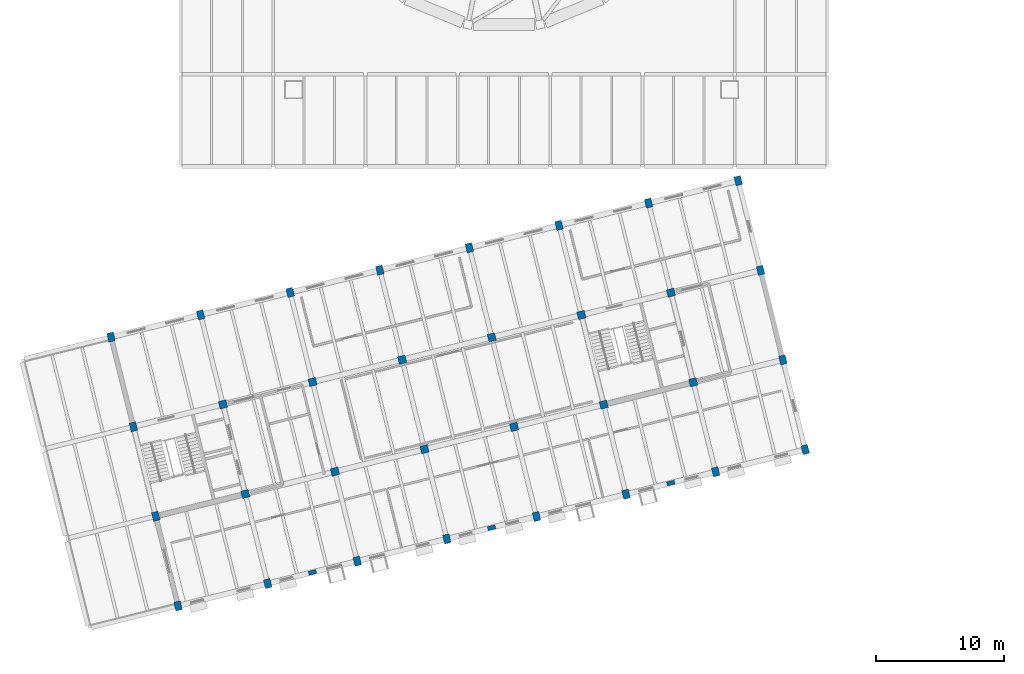
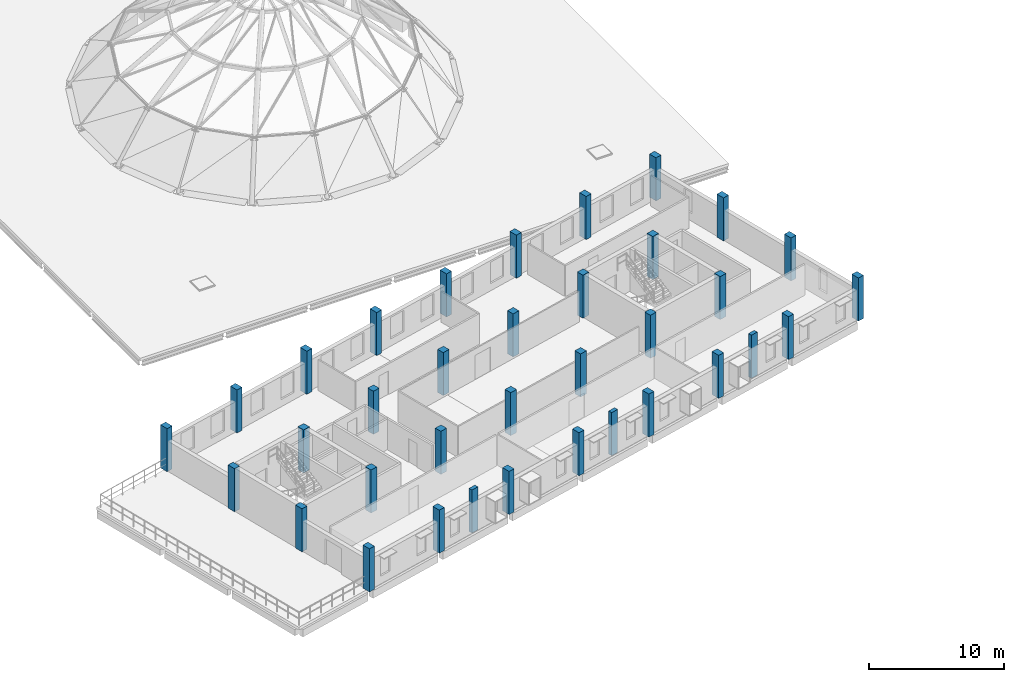
# One storey, part 1 of 32: 35 columns.
"""IFC4 building model written with IfcOpenShell, lengths in metres."""

from ifc_helpers import new_model, si_unit, direction, frame, origin, origin_2d, place, context, subcontext, project, spatial, rectangle, extrude, material, material_profile, profile_set, type_object, element, save


model = new_model("IFC4")

# Units and contexts
model_context = context("Model", 3, precision=1e-05, world=origin(), true_north=direction((0.0, 1.0)))
body_context = subcontext(model_context, "Body", "Model", "MODEL_VIEW")
ifc_project = project(units=[si_unit("LENGTHUNIT", "METRE"), si_unit("AREAUNIT", "SQUARE_METRE"), si_unit("VOLUMEUNIT", "CUBIC_METRE"), si_unit("PLANEANGLEUNIT", "RADIAN"), si_unit("MASSUNIT", "GRAM", prefix="KILO")], contexts=[model_context])

# Site, building, storey
site_placement = place(None, origin())
site = spatial("IfcSite", under=ifc_project, at=site_placement, CompositionType="ELEMENT")
building_placement = place(site_placement, origin())
building = spatial("IfcBuilding", under=site, at=building_placement, Name="Qiaolan Assembly House", CompositionType="ELEMENT")
storey_placement = place(building_placement, frame((0.0, 0.0, 18.60009765625)))
storey = spatial("IfcBuildingStorey", under=building, at=storey_placement, Name="L04", CompositionType="ELEMENT", Elevation=18.60009765625)

# Columns
ifc_material_1 = material(Name="Concrete C40/50", Category="concrete")
ifc_material_profile_1 = material_profile(ifc_material_1, rectangle(XDim=0.60009765625, YDim=0.60009765625, at=origin_2d()), Name="RC 600x600")
ifc_profile_set_1 = profile_set([ifc_material_profile_1], Name="Concrete C40/50")
column_type_1 = type_object("IfcColumnType", Name="COL-RC-600", PredefinedType="COLUMN", material=ifc_profile_set_1)
for number, where, z_axis, x_axis, name in (
    (1, (48.23046875, 10.4697265625, 0.0), (0.0, 0.0, 1.0), (0.970295726276, 0.2419218956, 0.0), "RC-09 splayed column SE L04"),
    (2, (46.488525390625, 17.4560546875, 0.0), (0.0, 0.0, 1.0), (0.970295726276, 0.2419218956, 0.0), "RC-09 splayed column SE L04"),
    (3, (55.216552734375, 12.211669921875, 0.0), (0.0, 0.0, 1.0), (0.970295726276, 0.2419218956, 0.0), "RC-09 splayed column SE L04"),
    (4, (53.474609375, 19.19775390625, 0.0), (0.0, 0.0, 1.0), (0.970295726276, 0.2419218956, 0.0), "RC-09 splayed column SE L04"),
    (5, (62.20263671875, 13.953369140625, 0.0), (0.0, 0.0, 1.0), (0.970295726276, 0.2419218956, 0.0), "RC-09 splayed column SE L04"),
    (6, (60.4609375, 20.939697265625, 0.0), (0.0, 0.0, 1.0), (0.970295726276, 0.2419218956, 0.0), "RC-09 splayed column SE L04"),
    (7, (69.188720703125, 15.6953125, 0.0), (0.0, 0.0, 1.0), (0.970295726276, 0.2419218956, 0.0), "RC-09 splayed column SE L04"),
    (8, (67.447021484375, 22.681396484375, 0.0), (0.0, 0.0, 1.0), (0.970295726276, 0.2419218956, 0.0), "RC-09 splayed column SE L04"),
    (9, (76.175048828125, 17.437255859375, 0.0), (0.0, 0.0, 1.0), (0.970295726276, 0.2419218956, 0.0), "RC-09 splayed column SE L04"),
    (10, (74.43310546875, 24.42333984375, 0.0), (0.0, 0.0, 1.0), (0.970295726276, 0.2419218956, 0.0), "RC-09 splayed column SE L04"),
    (11, (83.1611328125, 19.178955078125, 0.0), (0.0, 0.0, 1.0), (0.970295726276, 0.2419218956, 0.0), "RC-09 splayed column SE L04"),
    (12, (81.419189453125, 26.1650390625, 0.0), (0.0, 0.0, 1.0), (0.970295726276, 0.2419218956, 0.0), "RC-09 splayed column SE L04"),
):
    element("IfcColumn", number, at=place(storey_placement, frame(where, z_axis=z_axis, x_axis=x_axis)), inside=storey, type_object=column_type_1, Name=name, PredefinedType="COLUMN", context=body_context, shape_type="SweptSolid", body=[
        extrude(rectangle(XDim=0.60009765625, YDim=0.60009765625, at=origin_2d()), origin(), (0.0, 0.0, 1.0), 3.89990234375),
    ])
ifc_material_profile_2 = material_profile(ifc_material_1, rectangle(XDim=0.52001953125, YDim=0.699951171875, at=origin_2d()), Name="RC 700x520")
ifc_profile_set_2 = profile_set([ifc_material_profile_2], Name="Concrete C40/50")
column_type_2 = type_object("IfcColumnType", Name="COL-RC-700x520", PredefinedType="COLUMN", material=ifc_profile_set_2)
for number, where, z_axis, x_axis, name in (
    (13, (42.986083984375, 1.741943359375, 0.0), (0.0, 0.0, 1.0), (0.970295726276, 0.2419218956, 0.0), "RC-16 splayed column SE L04"),
    (14, (41.244384765625, 8.72802734375, 0.0), (0.0, 0.0, 1.0), (0.970295726276, 0.2419218956, 0.0), "RC-16 splayed column SE L04"),
    (15, (39.50244140625, 15.714111328125, 0.0), (0.0, 0.0, 1.0), (0.970295726276, 0.2419218956, 0.0), "RC-16 splayed column SE L04"),
    (16, (37.760498046875, 22.7001953125, 0.0), (0.0, 0.0, 1.0), (0.970295726276, 0.2419218956, 0.0), "RC-16 splayed column SE L04"),
    (17, (49.97216796875, 3.483642578125, 0.0), (0.0, 0.0, 1.0), (0.970295726276, 0.2419218956, 0.0), "RC-16 splayed column SE L04"),
    (18, (44.746826171875, 24.442138671875, 0.0), (0.0, 0.0, 1.0), (0.970295726276, 0.2419218956, 0.0), "RC-16 splayed column SE L04"),
    (19, (56.95849609375, 5.2255859375, 0.0), (0.0, 0.0, 1.0), (0.970295726276, 0.2419218956, 0.0), "RC-16 splayed column SE L04"),
    (20, (51.73291015625, 26.183837890625, 0.0), (0.0, 0.0, 1.0), (0.970295726276, 0.2419218956, 0.0), "RC-16 splayed column SE L04"),
    (21, (63.944580078125, 6.96728515625, 0.0), (0.0, 0.0, 1.0), (0.970295726276, 0.2419218956, 0.0), "RC-16 splayed column SE L04"),
    (22, (58.718994140625, 27.92578125, 0.0), (0.0, 0.0, 1.0), (0.970295726276, 0.2419218956, 0.0), "RC-16 splayed column SE L04"),
    (23, (70.9306640625, 8.709228515625, 0.0), (0.0, 0.0, 1.0), (0.970295726276, 0.2419218956, 0.0), "RC-16 splayed column SE L04"),
    (24, (65.705078125, 29.66748046875, 0.0), (0.0, 0.0, 1.0), (0.970295726276, 0.2419218956, 0.0), "RC-16 splayed column SE L04"),
    (25, (77.916748046875, 10.450927734375, 0.0), (0.0, 0.0, 1.0), (0.970295726276, 0.2419218956, 0.0), "RC-16 splayed column SE L04"),
    (26, (72.691162109375, 31.409423828125, 0.0), (0.0, 0.0, 1.0), (0.970295726276, 0.2419218956, 0.0), "RC-16 splayed column SE L04"),
    (27, (84.90283203125, 12.19287109375, 0.0), (0.0, 0.0, 1.0), (0.970295726276, 0.2419218956, 0.0), "RC-16 splayed column SE L04"),
    (28, (79.677490234375, 33.1513671875, 0.0), (0.0, 0.0, 1.0), (0.970295726276, 0.2419218956, 0.0), "RC-16 splayed column SE L04"),
    (29, (91.888916015625, 13.934814453125, 0.0), (0.0, 0.0, 1.0), (0.970295726276, 0.2419218956, 0.0), "RC-16 splayed column SE L04"),
    (30, (90.147216796875, 20.9208984375, 0.0), (0.0, 0.0, 1.0), (0.970295726276, 0.2419218956, 0.0), "RC-16 splayed column SE L04"),
    (31, (88.4052734375, 27.906982421875, 0.0), (0.0, 0.0, 1.0), (0.970295726276, 0.2419218956, 0.0), "RC-16 splayed column SE L04"),
    (32, (86.66357421875, 34.89306640625, 0.0), (0.0, 0.0, 1.0), (0.970295726276, 0.2419218956, 0.0), "RC-16 splayed column SE L04"),
):
    element("IfcColumn", number, at=place(storey_placement, frame(where, z_axis=z_axis, x_axis=x_axis)), inside=storey, type_object=column_type_2, Name=name, PredefinedType="COLUMN", context=body_context, shape_type="SweptSolid", body=[
        extrude(rectangle(XDim=0.52001953125, YDim=0.699951171875, at=origin_2d()), origin(), (0.0, 0.0, 1.0), 3.89990234375),
    ])
ifc_material_2 = material(Name="Precast concrete C45/55", Category="concrete")
ifc_material_profile_3 = material_profile(ifc_material_2, rectangle(XDim=0.610107421875, YDim=0.320068359375, at=origin_2d()), Name="PIL 610x320")
ifc_profile_set_3 = profile_set([ifc_material_profile_3], Name="Precast concrete C45/55")
column_type_3 = type_object("IfcColumnType", Name="PIL-SE-610x320", PredefinedType="PILASTER", material=ifc_profile_set_3)
for number, where, z_axis, x_axis, name in (
    (33, (53.46533203125, 4.3544921875, 0.0), (0.0, 0.0, 1.0), (0.970295726276, 0.2419218956, 0.0), "PL-08 boulevard pilaster SE L04"),
    (34, (67.4375, 7.83837890625, 0.0), (0.0, 0.0, 1.0), (0.970295726276, 0.2419218956, 0.0), "PL-08 boulevard pilaster SE L04"),
    (35, (81.409912109375, 11.322021484375, 0.0), (0.0, 0.0, 1.0), (0.970295726276, 0.2419218956, 0.0), "PL-08 boulevard pilaster SE L04"),
):
    element("IfcColumn", number, at=place(storey_placement, frame(where, z_axis=z_axis, x_axis=x_axis)), inside=storey, type_object=column_type_3, Name=name, PredefinedType="PILASTER", context=body_context, shape_type="SweptSolid", body=[
        extrude(rectangle(XDim=0.610107421875, YDim=0.320068359375, at=origin_2d()), origin(), (0.0, 0.0, 1.0), 3.89990234375),
    ])

save(model, "model.ifc")
